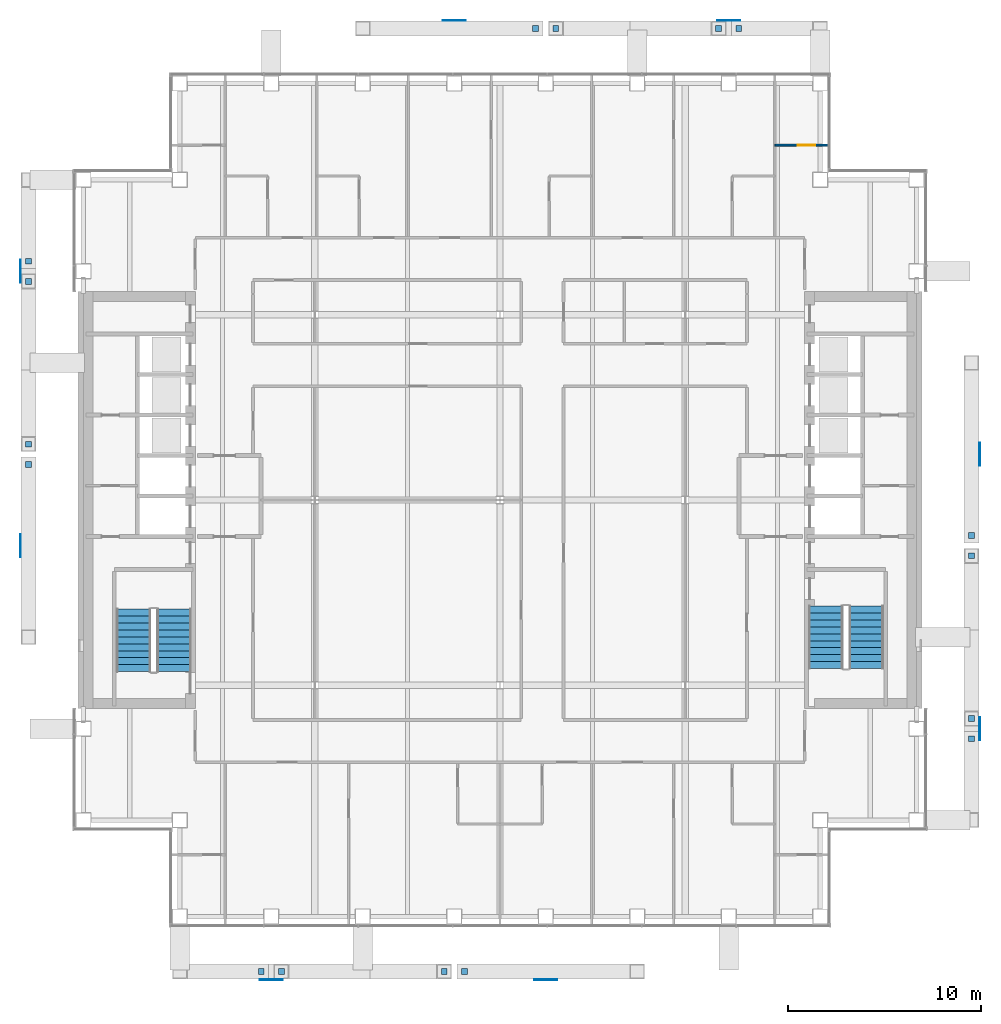
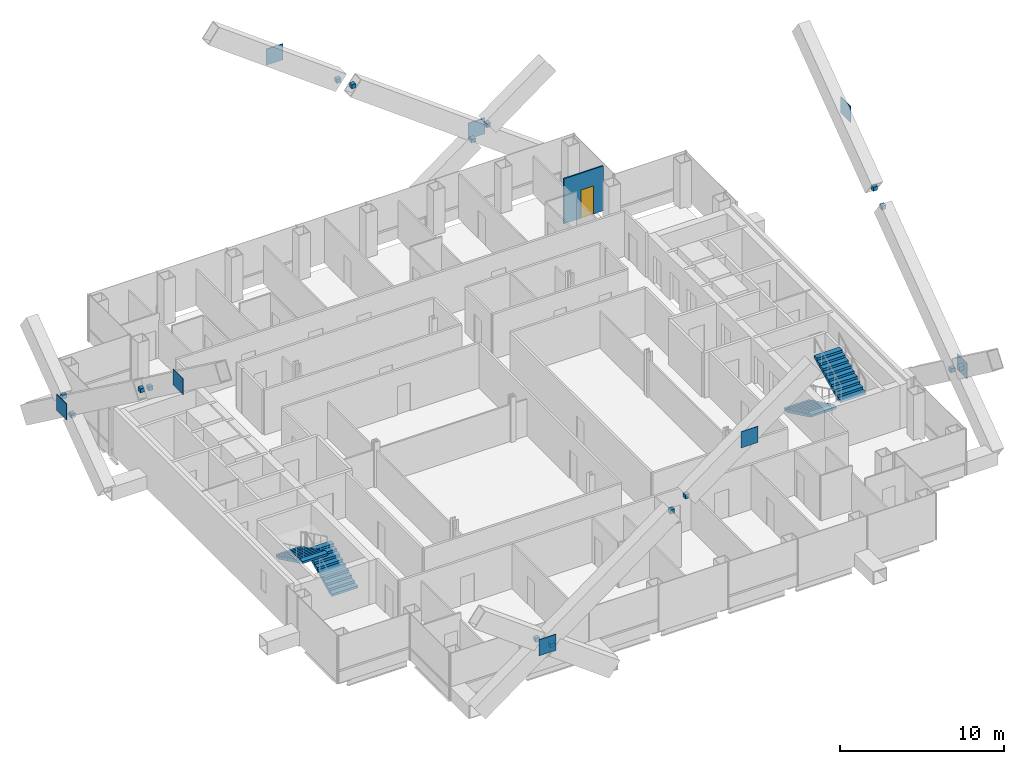
# One storey, part 16 of 18: 24 discrete accessories, 4 stair flights, 1 door, 1 wall, 1 opening, 2 elements without a shape of their own.
"""IFC4 building model written with IfcOpenShell, lengths in metres."""

from ifc_helpers import new_model, si_unit, direction, frame, frame_2d, origin, origin_2d, place, context, subcontext, project, spatial, polyline, rectangle, outline, extrude, material, layer, layer_set, type_object, element, fill, aggregate, save


model = new_model("IFC4")

# Units and contexts
model_context = context("Model", 3, precision=1e-05, world=origin(), true_north=direction((0.0, 1.0)))
body_context = subcontext(model_context, "Body", "Model", "MODEL_VIEW")
ifc_project = project(units=[si_unit("LENGTHUNIT", "METRE"), si_unit("AREAUNIT", "SQUARE_METRE"), si_unit("VOLUMEUNIT", "CUBIC_METRE"), si_unit("PLANEANGLEUNIT", "RADIAN"), si_unit("MASSUNIT", "GRAM", prefix="KILO")], contexts=[model_context])

# Site, building, storey
site_placement = place(None, origin())
site = spatial("IfcSite", under=ifc_project, at=site_placement, CompositionType="ELEMENT")
building_placement = place(site_placement, origin())
building = spatial("IfcBuilding", under=site, at=building_placement, Name="Cobrizo Arcos Hotel Tower", CompositionType="ELEMENT")
storey_placement = place(building_placement, frame((0.0, 0.0, 165.5)))
storey = spatial("IfcBuildingStorey", under=building, at=storey_placement, Name="L42", CompositionType="ELEMENT", Elevation=165.5)

# Wall, opening, door
ifc_material_1 = material(Name="Gypsum board partition")
ifc_layer = layer(ifc_material_1, 0.10009765625)
ifc_layer_set = layer_set([ifc_layer], Name="Partition EI 30 100")
wall_type = type_object("IfcWallType", Name="Partition EI 30 100", PredefinedType="PARTITIONING", material=ifc_layer_set)
wall_placement = place(storey_placement, frame((14.25, 18.39990234375, 0.0), z_axis=(0.0, 0.0, 1.0), x_axis=(1.0, 0.0, 0.0)))
wall = element("IfcWall", 1, at=wall_placement, inside=storey, type_object=wall_type, Name="Partition 045", PredefinedType="PARTITIONING", context=body_context, shape_type="SweptSolid", body=[
    extrude(rectangle(XDim=2.780029296875, YDim=0.10009765625, at=frame_2d((1.39013671875, 0.0))), origin(), (0.0, 0.0, 1.0), 3.35009765625),
])
opening_placement = place(wall_placement, frame((1.18896484375, 0.0, 0.0)))
opening = element("IfcOpeningElement", 2, at=opening_placement, cuts=wall, Name="Opening ED-11", PredefinedType="OPENING", context=body_context, shape_type="SweptSolid", body=[
    extrude(rectangle(XDim=0.89990234375, YDim=2.10009765625, at=frame_2d((0.449951171875, 1.050048828125))), frame((0.0, 0.06201171875, 0.0), z_axis=(0.0, -1.0, 0.0), x_axis=(1.0, 0.0, 0.0)), (0.0, 0.0, 1.0), 0.1240234375),
])
ifc_material_2 = material(Name="Timber door leaf", Category="wood")
door_type = type_object("IfcDoorType", Name="En-suite door 900x2100", OperationType="SINGLE_SWING_LEFT", PredefinedType="DOOR", material=ifc_material_2)
door_placement = place(opening_placement, origin())
door = element("IfcDoor", 3, at=door_placement, inside=storey, type_object=door_type, Name="Door ED-11", OperationType="SINGLE_SWING_LEFT", OverallHeight=2.10009765625, OverallWidth=0.89990234375, PredefinedType="DOOR", context=body_context, shape_type="SweptSolid", body=[
    extrude(rectangle(XDim=0.89990234375, YDim=2.10009765625, at=frame_2d((0.449951171875, 1.050048828125))), frame((0.0, 0.02490234375, 0.0), z_axis=(0.0, -1.0, 0.0), x_axis=(1.0, 0.0, 0.0)), (0.0, 0.0, 1.0), 0.050048828125),
])
fill(opening, door)

# Stair, stair flights
ifc_material_3 = material(Name="Concrete f'c 40 MPa", Category="concrete")
stair_type = type_object("IfcStairType", Name="Exit stair", PredefinedType="HALF_TURN_STAIR", material=ifc_material_3)
stair_1_placement = place(storey_placement, origin())
stair_1 = element("IfcStair", 4, at=stair_1_placement, inside=storey, type_object=stair_type, Name="L42 Exit stair ST-W", PredefinedType="HALF_TURN_STAIR")
stair_flight_type = type_object("IfcStairFlightType", Name="Exit stair flight", PredefinedType="STRAIGHT", material=ifc_material_3)
stair_flight_1_placement = place(storey_placement, frame((-16.89990234375, -8.89990234375, 0.0), z_axis=(0.0, 0.0, 1.0), x_axis=(0.0, 1.0, 0.0)))
stair_flight_1 = element("IfcStairFlight", 5, at=stair_flight_1_placement, type_object=stair_flight_type, Name="ST-W flight 1", NumberOfRisers=10, NumberOfTreads=9, PredefinedType="STRAIGHT", RiserHeight=0.175, TreadLength=0.36, context=body_context, shape_type="SweptSolid", body=[
    extrude(outline(polyline([(0.0, 0.0), (0.0, 0.175048828125), (0.360107421875, 0.175048828125), (0.360107421875, 0.35009765625), (0.719970703125, 0.35009765625), (0.719970703125, 0.52490234375), (1.080078125, 0.52490234375), (1.080078125, 0.699951171875), (1.43994140625, 0.699951171875), (1.43994140625, 0.875), (1.800048828125, 0.875), (1.800048828125, 1.050048828125), (2.159912109375, 1.050048828125), (2.159912109375, 1.22509765625), (2.52001953125, 1.22509765625), (2.52001953125, 1.39990234375), (2.8798828125, 1.39990234375), (2.8798828125, 1.574951171875), (3.239990234375, 1.574951171875), (3.239990234375, 1.75), (3.239990234375, 1.408203125), (0.3427734375, 0.0), (0.0, 0.0)])), frame((0.0, 0.89990234375, 0.0), z_axis=(0.0, -1.0, 0.0), x_axis=(1.0, 0.0, 0.0)), (0.0, 0.0, 1.0), 1.800048828125),
])
stair_flight_2_placement = place(storey_placement, frame((-19.0, -5.659912109375, 1.75), z_axis=(0.0, 0.0, 1.0), x_axis=(0.0, -1.0, 0.0)))
stair_flight_2 = element("IfcStairFlight", 6, at=stair_flight_2_placement, type_object=stair_flight_type, Name="ST-W flight 2", NumberOfRisers=10, NumberOfTreads=9, PredefinedType="STRAIGHT", RiserHeight=0.175, TreadLength=0.36, context=body_context, shape_type="SweptSolid", body=[
    extrude(outline(polyline([(0.0, 0.0), (0.0, 0.175048828125), (0.360107421875, 0.175048828125), (0.360107421875, 0.35009765625), (0.719970703125, 0.35009765625), (0.719970703125, 0.52490234375), (1.080078125, 0.52490234375), (1.080078125, 0.699951171875), (1.43994140625, 0.699951171875), (1.43994140625, 0.875), (1.800048828125, 0.875), (1.800048828125, 1.050048828125), (2.159912109375, 1.050048828125), (2.159912109375, 1.22509765625), (2.52001953125, 1.22509765625), (2.52001953125, 1.39990234375), (2.8798828125, 1.39990234375), (2.8798828125, 1.574951171875), (3.239990234375, 1.574951171875), (3.239990234375, 1.75), (3.239990234375, 1.408203125), (0.3427734375, 0.0), (0.0, 0.0)])), frame((0.0, 0.89990234375, 0.0), z_axis=(0.0, -1.0, 0.0), x_axis=(1.0, 0.0, 0.0)), (0.0, 0.0, 1.0), 1.800048828125),
])
aggregate(stair_1, [stair_flight_1, stair_flight_2])

stair_2_placement = place(storey_placement, origin())
stair_2 = element("IfcStair", 7, at=stair_2_placement, inside=storey, type_object=stair_type, Name="L42 Exit stair ST-E", PredefinedType="HALF_TURN_STAIR")
stair_flight_3_placement = place(storey_placement, frame((16.89990234375, -5.5, 0.0), z_axis=(0.0, 0.0, 1.0), x_axis=(0.0, -1.0, 0.0)))
stair_flight_3 = element("IfcStairFlight", 8, at=stair_flight_3_placement, type_object=stair_flight_type, Name="ST-E flight 1", NumberOfRisers=10, NumberOfTreads=9, PredefinedType="STRAIGHT", RiserHeight=0.175, TreadLength=0.36, context=body_context, shape_type="SweptSolid", body=[
    extrude(outline(polyline([(0.0, 0.0), (0.0, 0.175048828125), (0.360107421875, 0.175048828125), (0.360107421875, 0.35009765625), (0.719970703125, 0.35009765625), (0.719970703125, 0.52490234375), (1.080078125, 0.52490234375), (1.080078125, 0.699951171875), (1.43994140625, 0.699951171875), (1.43994140625, 0.875), (1.800048828125, 0.875), (1.800048828125, 1.050048828125), (2.159912109375, 1.050048828125), (2.159912109375, 1.22509765625), (2.52001953125, 1.22509765625), (2.52001953125, 1.39990234375), (2.8798828125, 1.39990234375), (2.8798828125, 1.574951171875), (3.239990234375, 1.574951171875), (3.239990234375, 1.75), (3.239990234375, 1.408203125), (0.3427734375, 0.0), (0.0, 0.0)])), frame((0.0, 0.89990234375, 0.0), z_axis=(0.0, -1.0, 0.0), x_axis=(1.0, 0.0, 0.0)), (0.0, 0.0, 1.0), 1.800048828125),
])
stair_flight_4_placement = place(storey_placement, frame((19.0, -8.739990234375, 1.75), z_axis=(0.0, 0.0, 1.0), x_axis=(0.0, 1.0, 0.0)))
stair_flight_4 = element("IfcStairFlight", 9, at=stair_flight_4_placement, type_object=stair_flight_type, Name="ST-E flight 2", NumberOfRisers=10, NumberOfTreads=9, PredefinedType="STRAIGHT", RiserHeight=0.175, TreadLength=0.36, context=body_context, shape_type="SweptSolid", body=[
    extrude(outline(polyline([(0.0, 0.0), (0.0, 0.175048828125), (0.360107421875, 0.175048828125), (0.360107421875, 0.35009765625), (0.719970703125, 0.35009765625), (0.719970703125, 0.52490234375), (1.080078125, 0.52490234375), (1.080078125, 0.699951171875), (1.43994140625, 0.699951171875), (1.43994140625, 0.875), (1.800048828125, 0.875), (1.800048828125, 1.050048828125), (2.159912109375, 1.050048828125), (2.159912109375, 1.22509765625), (2.52001953125, 1.22509765625), (2.52001953125, 1.39990234375), (2.8798828125, 1.39990234375), (2.8798828125, 1.574951171875), (3.239990234375, 1.574951171875), (3.239990234375, 1.75), (3.239990234375, 1.408203125), (0.3427734375, 0.0), (0.0, 0.0)])), frame((0.0, 0.89990234375, 0.0), z_axis=(0.0, -1.0, 0.0), x_axis=(1.0, 0.0, 0.0)), (0.0, 0.0, 1.0), 1.800048828125),
])
aggregate(stair_2, [stair_flight_3, stair_flight_4])

# Discrete accessories
ifc_material_4 = material(Name="Steel ASTM A572 Grade 50", Category="steel")
discrete_accessory_type_1 = type_object("IfcDiscreteAccessoryType", Name="GP-1 gusset plate 1200x1200x40", PredefinedType="BRACKET", material=ifc_material_4)
for number, where, z_axis, x_axis, name in (
    (10, (24.8701171875, -11.857177734375, 3.39990234375), (0.0, 0.0, 1.0), (1.0, 0.0, 0.0), "Gusset plate br-Z3-E-10"),
    (11, (24.8701171875, 2.371337890625, 13.89990234375), (0.0, 0.0, 1.0), (1.0, 0.0, 0.0), "Gusset plate br-Z3-E-10"),
):
    element("IfcDiscreteAccessory", number, at=place(storey_placement, frame(where, z_axis=z_axis, x_axis=x_axis)), inside=storey, type_object=discrete_accessory_type_1, Name=name, PredefinedType="BRACKET", context=body_context, shape_type="SweptSolid", body=[
        extrude(rectangle(XDim=0.0400390625, YDim=1.199951171875, at=origin_2d()), origin(), (0.0, 0.0, 1.0), 1.199951171875),
    ])
for number, where, z_axis, x_axis, name in (
    (12, (11.857177734375, 24.8701171875, 3.39990234375), (0.0, 0.0, 1.0), (1.0, 0.0, 0.0), "Gusset plate br-Z3-N-10"),
    (13, (-2.371337890625, 24.8701171875, 13.89990234375), (0.0, 0.0, 1.0), (1.0, 0.0, 0.0), "Gusset plate br-Z3-N-10"),
    (14, (-11.857177734375, -24.8701171875, 3.39990234375), (0.0, 0.0, 1.0), (1.0, 0.0, 0.0), "Gusset plate br-Z3-S-10"),
    (15, (2.371337890625, -24.8701171875, 13.89990234375), (0.0, 0.0, 1.0), (1.0, 0.0, 0.0), "Gusset plate br-Z3-S-10"),
):
    element("IfcDiscreteAccessory", number, at=place(storey_placement, frame(where, z_axis=z_axis, x_axis=x_axis)), inside=storey, type_object=discrete_accessory_type_1, Name=name, PredefinedType="BRACKET", context=body_context, shape_type="SweptSolid", body=[
        extrude(rectangle(XDim=1.199951171875, YDim=0.0400390625, at=origin_2d()), origin(), (0.0, 0.0, 1.0), 1.199951171875),
    ])
for number, where, z_axis, x_axis, name in (
    (16, (-24.8701171875, 11.857177734375, 3.39990234375), (0.0, 0.0, 1.0), (1.0, 0.0, 0.0), "Gusset plate br-Z3-W-10"),
    (17, (-24.8701171875, -2.371337890625, 13.89990234375), (0.0, 0.0, 1.0), (1.0, 0.0, 0.0), "Gusset plate br-Z3-W-10"),
):
    element("IfcDiscreteAccessory", number, at=place(storey_placement, frame(where, z_axis=z_axis, x_axis=x_axis)), inside=storey, type_object=discrete_accessory_type_1, Name=name, PredefinedType="BRACKET", context=body_context, shape_type="SweptSolid", body=[
        extrude(rectangle(XDim=0.0400390625, YDim=1.199951171875, at=origin_2d()), origin(), (0.0, 0.0, 1.0), 1.199951171875),
    ])
discrete_accessory_type_2 = type_object("IfcDiscreteAccessoryType", Name="GP-5 brace end plate 300x300x300", PredefinedType="BRACKET", material=ifc_material_4)
for number, where, z_axis, x_axis, name in (
    (18, (24.449951171875, -2.89453125, 10.4638671875), (0.0, 0.0, 1.0), (1.0, 0.0, 0.0), "Brace end plate"),
    (19, (24.449951171875, -1.84814453125, 11.23583984375), (0.0, 0.0, 1.0), (1.0, 0.0, 0.0), "Brace end plate"),
    (20, (24.449951171875, -11.333984375, 3.4638671875), (0.0, 0.0, 1.0), (1.0, 0.0, 0.0), "Brace end plate"),
    (21, (24.449951171875, -12.38037109375, 4.23583984375), (0.0, 0.0, 1.0), (1.0, 0.0, 0.0), "Brace end plate"),
    (22, (2.89453125, 24.449951171875, 10.4638671875), (0.0, 0.0, 1.0), (1.0, 0.0, 0.0), "Brace end plate"),
    (23, (1.84814453125, 24.449951171875, 11.23583984375), (0.0, 0.0, 1.0), (1.0, 0.0, 0.0), "Brace end plate"),
    (24, (11.333984375, 24.449951171875, 3.4638671875), (0.0, 0.0, 1.0), (1.0, 0.0, 0.0), "Brace end plate"),
    (25, (12.38037109375, 24.449951171875, 4.23583984375), (0.0, 0.0, 1.0), (1.0, 0.0, 0.0), "Brace end plate"),
    (26, (-2.89453125, -24.449951171875, 10.4638671875), (0.0, 0.0, 1.0), (1.0, 0.0, 0.0), "Brace end plate"),
    (27, (-1.84814453125, -24.449951171875, 11.23583984375), (0.0, 0.0, 1.0), (1.0, 0.0, 0.0), "Brace end plate"),
    (28, (-11.333984375, -24.449951171875, 3.4638671875), (0.0, 0.0, 1.0), (1.0, 0.0, 0.0), "Brace end plate"),
    (29, (-12.38037109375, -24.449951171875, 4.23583984375), (0.0, 0.0, 1.0), (1.0, 0.0, 0.0), "Brace end plate"),
    (30, (-24.449951171875, 2.89453125, 10.4638671875), (0.0, 0.0, 1.0), (1.0, 0.0, 0.0), "Brace end plate"),
    (31, (-24.449951171875, 1.84814453125, 11.23583984375), (0.0, 0.0, 1.0), (1.0, 0.0, 0.0), "Brace end plate"),
    (32, (-24.449951171875, 11.333984375, 3.4638671875), (0.0, 0.0, 1.0), (1.0, 0.0, 0.0), "Brace end plate"),
    (33, (-24.449951171875, 12.38037109375, 4.23583984375), (0.0, 0.0, 1.0), (1.0, 0.0, 0.0), "Brace end plate"),
):
    element("IfcDiscreteAccessory", number, at=place(storey_placement, frame(where, z_axis=z_axis, x_axis=x_axis)), inside=storey, type_object=discrete_accessory_type_2, Name=name, PredefinedType="BRACKET", context=body_context, shape_type="SweptSolid", body=[
        extrude(rectangle(XDim=0.300048828125, YDim=0.300048828125, at=origin_2d()), origin(), (0.0, 0.0, 1.0), 0.300048828125),
    ])

save(model, "model.ifc")
